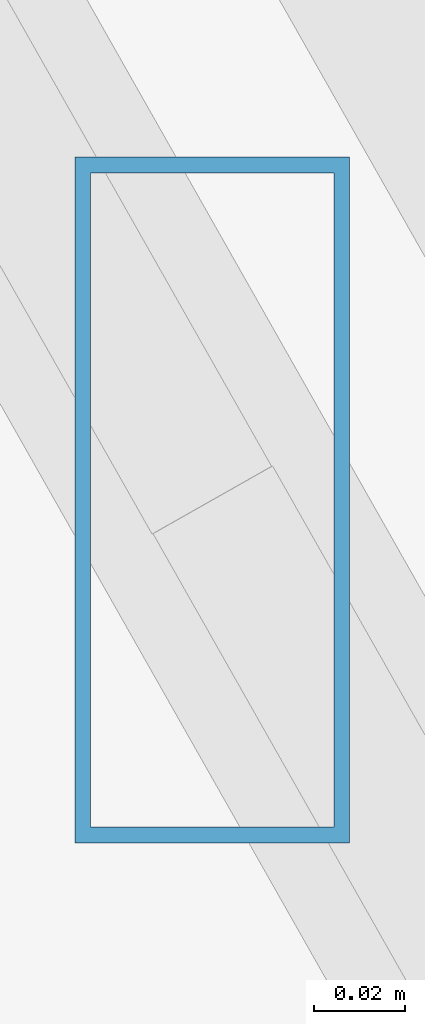
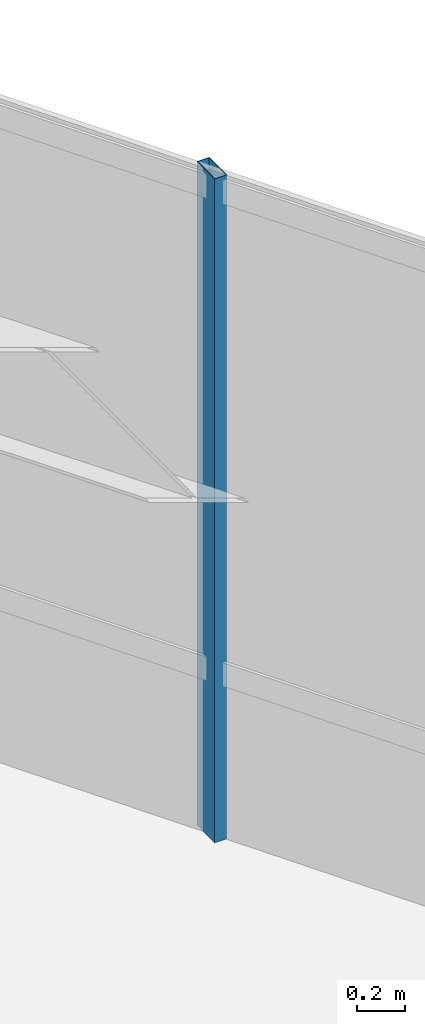
# One storey, part 32 of 40: 1 member, 1 element without a shape of its own.
"""IFC4 building model written with IfcOpenShell, lengths in metres."""

from ifc_helpers import new_model, si_unit, direction, frame, origin, origin_2d, place, context, subcontext, project, spatial, hollow_rectangle, extrude, source, transform, mapped, material, material_profile, profile_set, type_object, type_shapes, element, aggregate, save


model = new_model("IFC4")

# Units and contexts
model_context = context("Model", 3, precision=1e-05, world=origin(), true_north=direction((0.0, 1.0)))
body_context = subcontext(model_context, "Body", "Model", "MODEL_VIEW")
ifc_project = project(units=[si_unit("LENGTHUNIT", "METRE"), si_unit("AREAUNIT", "SQUARE_METRE"), si_unit("VOLUMEUNIT", "CUBIC_METRE"), si_unit("PLANEANGLEUNIT", "RADIAN"), si_unit("MASSUNIT", "GRAM", prefix="KILO")], contexts=[model_context])

# Site, building, storey
site_placement = place(None, origin())
site = spatial("IfcSite", under=ifc_project, at=site_placement, CompositionType="ELEMENT")
building_placement = place(site_placement, origin())
building = spatial("IfcBuilding", under=site, at=building_placement, Name="Caelisora Broadcast Tower", CompositionType="ELEMENT")
storey_placement = place(building_placement, frame((0.0, 0.0, 213.25)))
storey = spatial("IfcBuildingStorey", under=building, at=storey_placement, Name="L56", CompositionType="ELEMENT", Elevation=213.25)

# Curtain wall, member
ifc_material_1 = material(Name="Unitised Aluminium and Low-E Glass Curtain Wall", Category="glass")
curtain_wall_type = type_object("IfcCurtainWallType", Name="CW-Z4", PredefinedType="NOTDEFINED", material=ifc_material_1)
curtain_wall_placement = place(storey_placement, origin())
curtain_wall = element("IfcCurtainWall", 1, at=curtain_wall_placement, inside=storey, type_object=curtain_wall_type, Name="L56 curtain wall CW-Z4", PredefinedType="NOTDEFINED")
ifc_material_2 = material(Name="Aluminium 6063-T6 Anodised Terracotta Bronze", Category="aluminium")
ifc_material_profile = material_profile(ifc_material_2, hollow_rectangle(XDim=0.06005859375, YDim=0.14990234375, WallThickness=0.00341796875, at=origin_2d()), Name="Aluminium 6063-T6 Anodised Terracotta Bronze")
ifc_profile_set = profile_set([ifc_material_profile], Name="Aluminium 6063-T6 Anodised Terracotta Bronze")
member_type = type_object("IfcMemberType", Name="CWM-03", PredefinedType="MULLION", material=ifc_profile_set)
shared_shape = source(origin(), body_context, "Body", "SweptSolid", [
    extrude(hollow_rectangle(XDim=0.06005859375, YDim=0.14990234375, WallThickness=0.00341796875, at=origin_2d()), origin(), (0.0, 0.0, 1.0), 3.39990234375),
])
type_shapes(member_type, [shared_shape])
member_placement = place(storey_placement, frame((46.527587890625, 43.103515625, 0.0), z_axis=(0.0, 0.0, 1.0), x_axis=(1.0, 0.0, 0.0)))
member = element("IfcMember", 2, at=member_placement, type_object=member_type, Name="L56-CW-B01 mullion #2", PredefinedType="MULLION", context=body_context, shape_type="MappedRepresentation", body=[
    mapped(shared_shape, transform((0.0, 0.0, 0.0), scale=1.0)),
])
aggregate(curtain_wall, [member])

save(model, "model.ifc")
